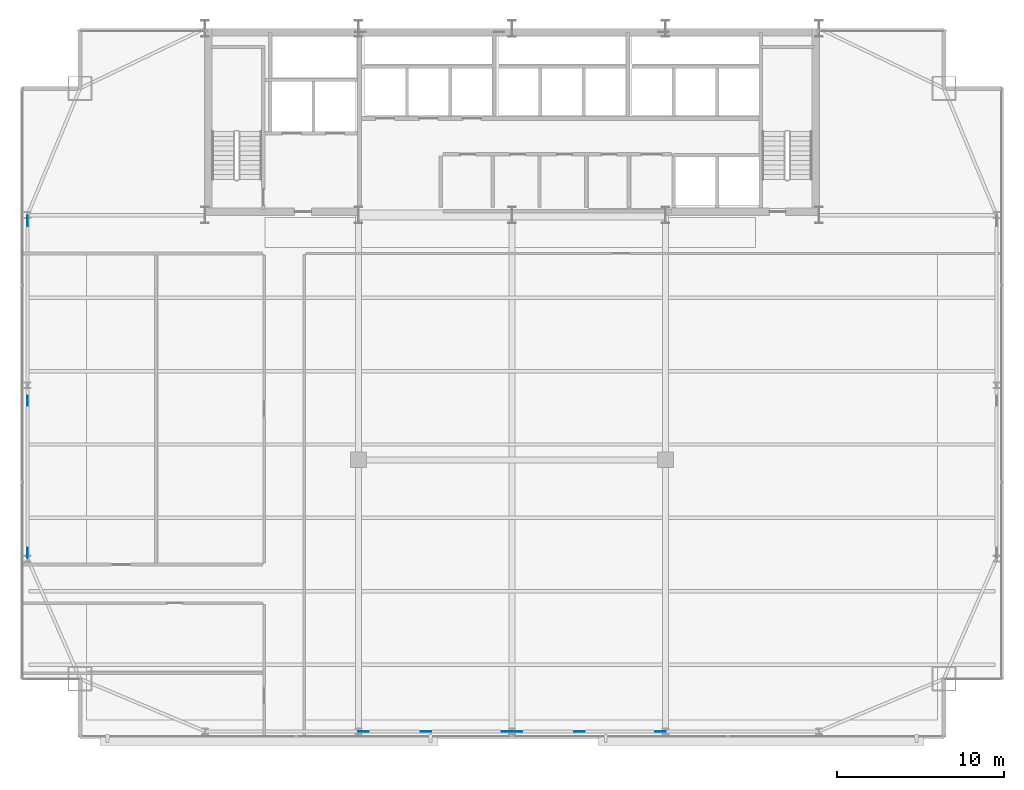
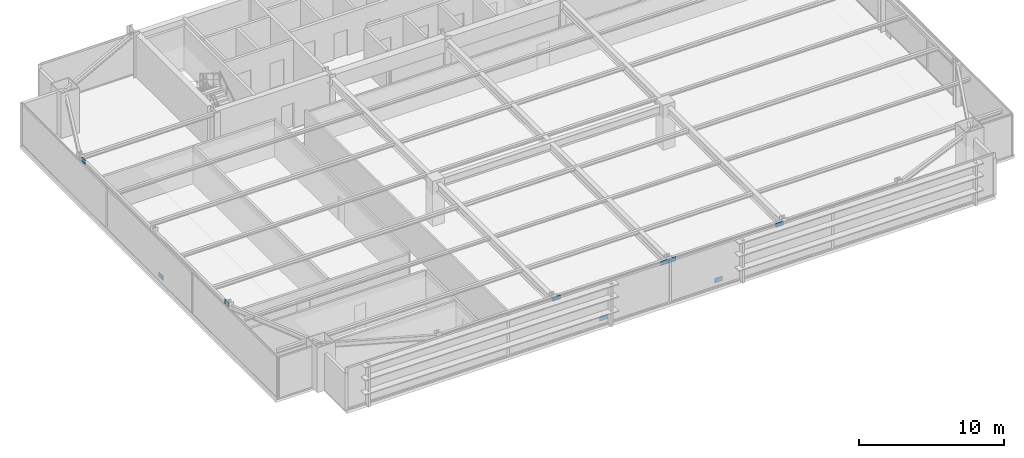
# One storey, part 27 of 32: 9 plates.
"""IFC4 building model written with IfcOpenShell, lengths in metres."""

from ifc_helpers import new_model, si_unit, direction, frame, origin, origin_2d, place, context, subcontext, project, spatial, rectangle, extrude, source, transform, mapped, material, layer, layer_set, type_object, type_shapes, element, save


model = new_model("IFC4")

# Units and contexts
model_context = context("Model", 3, precision=1e-05, world=origin(), true_north=direction((0.0, 1.0)))
body_context = subcontext(model_context, "Body", "Model", "MODEL_VIEW")
ifc_project = project(units=[si_unit("LENGTHUNIT", "METRE"), si_unit("AREAUNIT", "SQUARE_METRE"), si_unit("VOLUMEUNIT", "CUBIC_METRE"), si_unit("PLANEANGLEUNIT", "RADIAN"), si_unit("MASSUNIT", "GRAM", prefix="KILO")], contexts=[model_context])

# Site, building, storey
site_placement = place(None, origin())
site = spatial("IfcSite", under=ifc_project, at=site_placement, CompositionType="ELEMENT")
building_placement = place(site_placement, origin())
building = spatial("IfcBuilding", under=site, at=building_placement, Name="Varnel Quay Broadcast Tower", CompositionType="ELEMENT")
storey_placement = place(building_placement, frame((0.0, 0.0, 90.800048828125)))
storey = spatial("IfcBuildingStorey", under=building, at=storey_placement, Name="L21", CompositionType="ELEMENT", Elevation=90.800048828125)

# Plates
ifc_material = material(Name="Structural Steel CSA G40.21 350WT", Category="steel")
ifc_layer = layer(ifc_material, 0.031982421875, Name="Structural Steel CSA G40.21 350WT")
ifc_layer_set = layer_set([ifc_layer], Name="Structural Steel CSA G40.21 350WT")
plate_type = type_object("IfcPlateType", Name="Plate_EndCap", PredefinedType="USERDEFINED", material=ifc_layer_set)
shared_shape = source(origin(), body_context, "Body", "SweptSolid", [
    extrude(rectangle(XDim=0.6201171875, YDim=0.031982421875, at=origin_2d()), origin(), (0.0, 0.0, 1.0), 0.3798828125),
])
type_shapes(plate_type, [shared_shape])
for number, where, z_axis, x_axis, name in (
    (1, (33.702392578125, 4.64990234375, 3.103515625), (0.0, 0.0, 1.0), (1.0, 0.0, 0.0), "Zone 2 Mega-Brace S-C1T1 Diag A End Connection Plate P1"),
    (2, (28.841796875, 4.64990234375, 0.128662109375), (0.0, 0.0, 1.0), (1.0, 0.0, 0.0), "Zone 2 Mega-Brace S-C1T1 Diag B2 End Connection Plate P0"),
    (3, (25.097412109375, 4.64990234375, 3.103515625), (0.0, 0.0, 1.0), (1.0, 0.0, 0.0), "Zone 2 Mega-Brace S-C1T1 Diag B2 End Connection Plate P1"),
    (4, (42.902587890625, 4.64990234375, 3.103515625), (0.0, 0.0, 1.0), (1.0, 0.0, 0.0), "Zone 2 Mega-Brace S-C2T1 Diag A End Connection Plate P1"),
    (5, (38.041748046875, 4.64990234375, 0.128662109375), (0.0, 0.0, 1.0), (1.0, 0.0, 0.0), "Zone 2 Mega-Brace S-C2T1 Diag B2 End Connection Plate P0"),
    (6, (34.297607421875, 4.64990234375, 3.103515625), (0.0, 0.0, 1.0), (1.0, 0.0, 0.0), "Zone 2 Mega-Brace S-C2T1 Diag B2 End Connection Plate P1"),
    (7, (4.949951171875, 35.241943359375, 3.212890625), (0.0, 0.0, 1.0), (0.0, 1.0, 0.0), "Zone 2 Mega-Brace W-FT1 Diag A End Connection Plate P1"),
    (8, (4.949951171875, 24.4697265625, -0.0205078125), (0.0, 0.0, 1.0), (0.0, 1.0, 0.0), "Zone 2 Mega-Brace W-FT1 Diag B2 End Connection Plate P0"),
    (9, (4.949951171875, 15.358154296875, 3.212890625), (0.0, 0.0, 1.0), (0.0, 1.0, 0.0), "Zone 2 Mega-Brace W-FT1 Diag B2 End Connection Plate P1"),
):
    element("IfcPlate", number, at=place(storey_placement, frame(where, z_axis=z_axis, x_axis=x_axis)), inside=storey, type_object=plate_type, Name=name, ObjectType="CAP_PLATE", PredefinedType="USERDEFINED", context=body_context, shape_type="MappedRepresentation", body=[
        mapped(shared_shape, transform((0.0, 0.0, 0.0), x_axis=(1.0, 0.0, 0.0), y_axis=(0.0, 1.0, 0.0), z_axis=(0.0, 0.0, 1.0), scale=1.0)),
    ])

save(model, "model.ifc")
